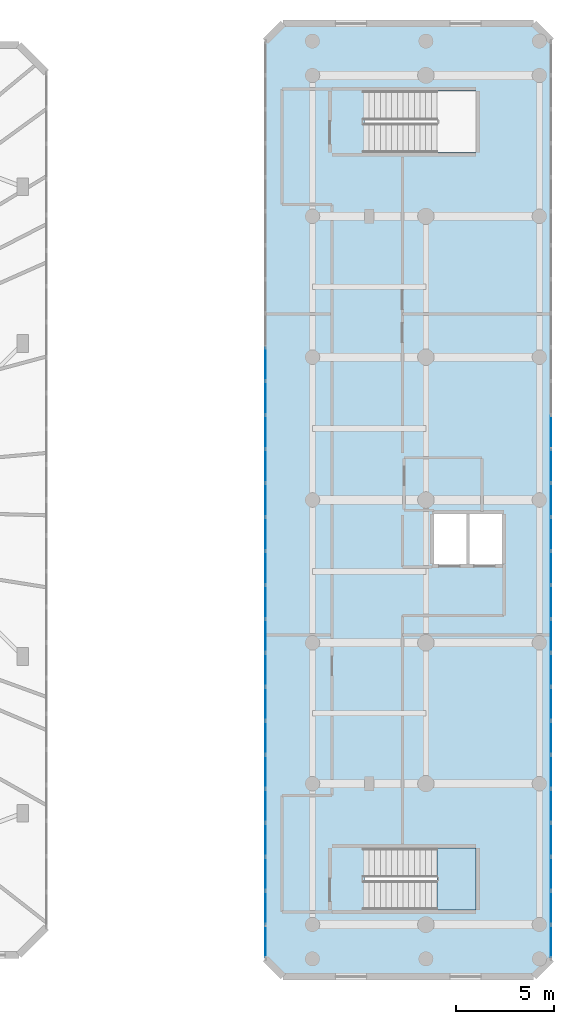
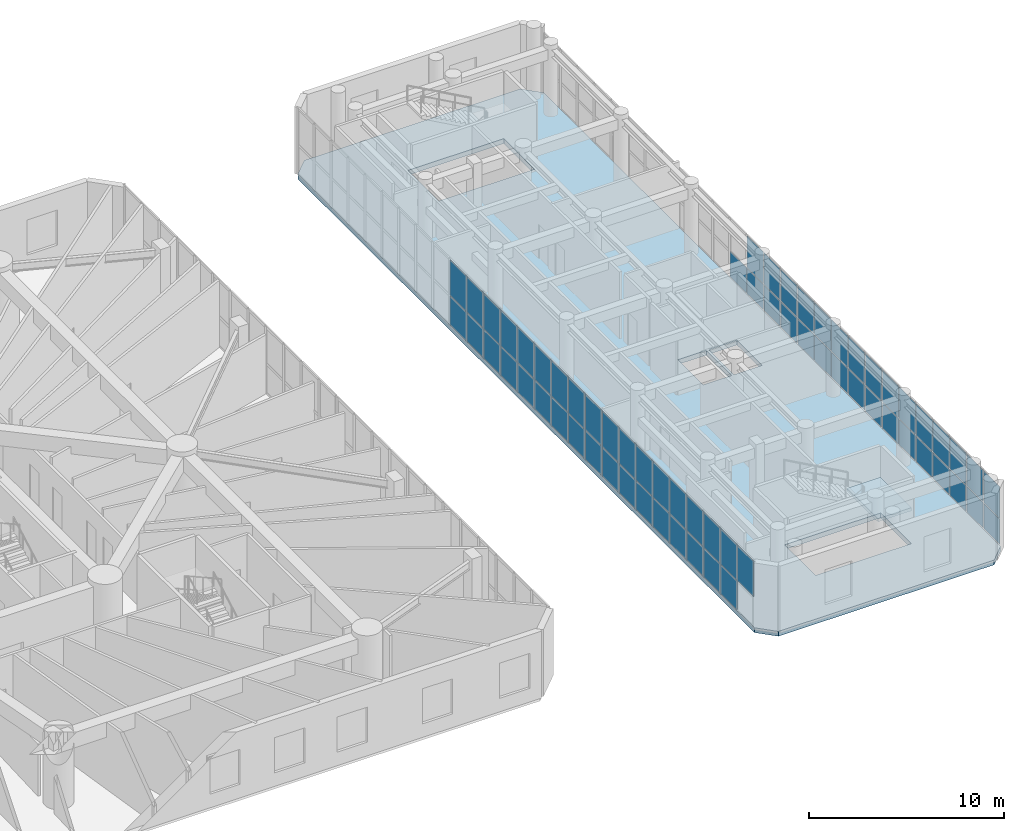
# One storey, part 11 of 26: 66 plates, 2 slabs, 3 elements without a shape of their own.
"""IFC4 building model written with IfcOpenShell, lengths in metres."""

from ifc_helpers import new_model, si_unit, direction, frame, origin, origin_with_axes, origin_2d, place, context, subcontext, project, spatial, polyline, rectangle, outline, extrude, source, transform, mapped, material, layer, layer_set, type_object, element, aggregate, save


model = new_model("IFC4")

# Units and contexts
model_context = context("Model", 3, precision=1e-05, world=origin(), true_north=direction((0.0, 1.0)))
body_context = subcontext(model_context, "Body", "Model", "MODEL_VIEW")
ifc_project = project(units=[si_unit("LENGTHUNIT", "METRE"), si_unit("AREAUNIT", "SQUARE_METRE"), si_unit("VOLUMEUNIT", "CUBIC_METRE"), si_unit("PLANEANGLEUNIT", "RADIAN"), si_unit("MASSUNIT", "GRAM", prefix="KILO")], contexts=[model_context])

# Site, building, storey
site_placement = place(None, origin())
site = spatial("IfcSite", under=ifc_project, at=site_placement, CompositionType="ELEMENT")
building_placement = place(site_placement, origin())
building = spatial("IfcBuilding", under=site, at=building_placement, Name="Karkom Vertical University and Central Library", CompositionType="ELEMENT")
storey_placement = place(building_placement, frame((0.0, 0.0, 9.0)))
storey = spatial("IfcBuildingStorey", under=building, at=storey_placement, Name="L02", CompositionType="ELEMENT", Elevation=9.0)

# Stair, slab
ifc_material_1 = material(Name="Concrete C45/55", Category="concrete")
stair_type = type_object("IfcStairType", Name="INT-STR-ST-LIB", PredefinedType="HALF_TURN_STAIR", material=ifc_material_1)
stair_placement = place(storey_placement, origin())
stair = element("IfcStair", 1, at=stair_placement, inside=storey, type_object=stair_type, Name="Level 02 Central Library South Exit Stair LIB-ST1", PredefinedType="HALF_TURN_STAIR")
ifc_layer_1 = layer(ifc_material_1, 0.199951171875)
ifc_layer_set_1 = layer_set([ifc_layer_1], Name="Concrete C45/55")
slab_type_1 = type_object("IfcSlabType", Name="INT-SLB-LANDING", PredefinedType="LANDING", material=ifc_layer_set_1)
slab_1_placement = place(storey_placement, frame((0.0, 0.0, 2.050048828125)))
slab_1 = element("IfcSlab", 2, at=slab_1_placement, type_object=slab_type_1, Name="LIB-ST1 landing 1", PredefinedType="LANDING", context=body_context, shape_type="SweptSolid", body=[
    extrude(outline(polyline([(75.969970703125, 5.550048828125), (77.949951171875, 5.550048828125), (77.949951171875, 8.7099609375), (75.969970703125, 8.7099609375), (75.969970703125, 5.550048828125)])), origin(), (0.0, 0.0, 1.0), 0.199951171875),
])
aggregate(stair, [slab_1])

# Slab
ifc_layer_2 = layer(ifc_material_1, 0.300048828125)
ifc_layer_set_2 = layer_set([ifc_layer_2], Name="Concrete C45/55")
slab_type_2 = type_object("IfcSlabType", Name="STR-SLB-FLR-300", PredefinedType="FLOOR", material=ifc_layer_set_2)
slab_2_placement = place(storey_placement, frame((0.0, 0.0, -0.300048828125)))
element("IfcSlab", 3, at=slab_2_placement, inside=storey, type_object=slab_type_2, Name="Level 02 Central Library Floor Slab", PredefinedType="FLOOR", context=body_context, shape_type="SweptSolid", body=[
    extrude(outline(polyline([(68.10009765625, 2.14990234375), (80.89990234375, 2.14990234375), (81.800048828125, 3.050048828125), (81.800048828125, 49.949951171875), (80.89990234375, 50.85009765625), (68.10009765625, 50.85009765625), (67.199951171875, 49.949951171875), (67.199951171875, 3.050048828125), (68.10009765625, 2.14990234375)]), holes=[polyline([(72.264892578125, 5.550048828125), (77.949951171875, 5.550048828125), (77.949951171875, 8.7099609375), (72.264892578125, 8.7099609375), (72.264892578125, 5.550048828125)]), polyline([(72.264892578125, 44.25), (77.949951171875, 44.25), (77.949951171875, 47.409912109375), (72.264892578125, 47.409912109375), (72.264892578125, 44.25)]), polyline([(75.800048828125, 23.199951171875), (77.47998046875, 23.199951171875), (77.47998046875, 25.800048828125), (75.800048828125, 25.800048828125), (75.800048828125, 23.199951171875)]), polyline([(77.6201171875, 23.199951171875), (79.300048828125, 23.199951171875), (79.300048828125, 25.800048828125), (77.6201171875, 25.800048828125), (77.6201171875, 23.199951171875)])]), origin(), (0.0, 0.0, 1.0), 0.300048828125),
])

# Curtain wall, plates
ifc_material_2 = material(Name="Aluminium curtain-wall framing and low-E IGU", Category="aluminium")
ifc_layer_3 = layer(ifc_material_2, 0.199951171875)
ifc_layer_set_3 = layer_set([ifc_layer_3], Name="Aluminium curtain-wall framing and low-E IGU")
curtain_wall_type = type_object("IfcCurtainWallType", Name="ENV-CW-1", PredefinedType="USERDEFINED", material=ifc_layer_set_3)
curtain_wall_1_placement = place(storey_placement, origin())
curtain_wall_1 = element("IfcCurtainWall", 4, at=curtain_wall_1_placement, inside=storey, type_object=curtain_wall_type, Name="Level 02 CW-1 Curtain Wall Level 02-CW-1-LIB-3", ObjectType="STICK MULLION GLAZING", PredefinedType="USERDEFINED")
ifc_material_3 = material(Name="Solar-control low-E double glazing 28mm", Category="glass")
ifc_layer_4 = layer(ifc_material_3, 0.028076171875)
ifc_layer_set_4 = layer_set([ifc_layer_4], Name="Solar-control low-E double glazing 28mm")
plate_type = type_object("IfcPlateType", Name="ENV-PLT-GLZ-28", PredefinedType="CURTAIN_PANEL", material=ifc_layer_set_4)
shared_shape_1 = source(origin_with_axes(), body_context, "Body", "SweptSolid", [
    extrude(rectangle(XDim=1.632080078125, YDim=0.028076171875, at=origin_2d()), origin(), (0.0, 0.0, 1.0), 1.58251953125),
])
plate_1_placement = place(storey_placement, frame((81.800048828125, 3.93603515625, 0.070068359375), z_axis=(0.0, 0.0, 1.0), x_axis=(0.0, 1.0, 0.0)))
plate_1 = element("IfcPlate", 5, at=plate_1_placement, type_object=plate_type, Name="CW-1 panel 1.1", PredefinedType="CURTAIN_PANEL", context=body_context, shape_type="MappedRepresentation", body=[
    mapped(shared_shape_1, transform((0.0, 0.0, 0.0), scale=1.0)),
])
shared_shape_2 = source(origin_with_axes(), body_context, "Body", "SweptSolid", [
    extrude(rectangle(XDim=1.632080078125, YDim=0.028076171875, at=origin_2d()), origin(), (0.0, 0.0, 1.0), 1.95751953125),
])
plate_2_placement = place(storey_placement, frame((81.800048828125, 3.93603515625, 1.722412109375), z_axis=(0.0, 0.0, 1.0), x_axis=(0.0, 1.0, 0.0)))
plate_2 = element("IfcPlate", 6, at=plate_2_placement, type_object=plate_type, Name="CW-1 panel 1.2", PredefinedType="CURTAIN_PANEL", context=body_context, shape_type="MappedRepresentation", body=[
    mapped(shared_shape_2, transform((0.0, 0.0, 0.0), scale=1.0)),
])
shared_shape_3 = source(origin_with_axes(), body_context, "Body", "SweptSolid", [
    extrude(rectangle(XDim=1.6669921875, YDim=0.028076171875, at=origin_2d()), origin(), (0.0, 0.0, 1.0), 1.58251953125),
])
plate_3_placement = place(storey_placement, frame((81.800048828125, 5.655517578125, 0.070068359375), z_axis=(0.0, 0.0, 1.0), x_axis=(0.0, 1.0, 0.0)))
plate_3 = element("IfcPlate", 7, at=plate_3_placement, type_object=plate_type, Name="CW-1 panel 2.1", PredefinedType="CURTAIN_PANEL", context=body_context, shape_type="MappedRepresentation", body=[
    mapped(shared_shape_3, transform((0.0, 0.0, 0.0), scale=1.0)),
])
plate_4_placement = place(storey_placement, frame((81.800048828125, 7.392578125, 0.070068359375), z_axis=(0.0, 0.0, 1.0), x_axis=(0.0, 1.0, 0.0)))
plate_4 = element("IfcPlate", 8, at=plate_4_placement, type_object=plate_type, Name="CW-1 panel 3.1", PredefinedType="CURTAIN_PANEL", context=body_context, shape_type="MappedRepresentation", body=[
    mapped(shared_shape_3, transform((0.0, 0.0, 0.0), scale=1.0)),
])
plate_5_placement = place(storey_placement, frame((81.800048828125, 9.129638671875, 0.070068359375), z_axis=(0.0, 0.0, 1.0), x_axis=(0.0, 1.0, 0.0)))
plate_5 = element("IfcPlate", 9, at=plate_5_placement, type_object=plate_type, Name="CW-1 panel 4.1", PredefinedType="CURTAIN_PANEL", context=body_context, shape_type="MappedRepresentation", body=[
    mapped(shared_shape_3, transform((0.0, 0.0, 0.0), scale=1.0)),
])
plate_6_placement = place(storey_placement, frame((81.800048828125, 10.86669921875, 0.070068359375), z_axis=(0.0, 0.0, 1.0), x_axis=(0.0, 1.0, 0.0)))
plate_6 = element("IfcPlate", 10, at=plate_6_placement, type_object=plate_type, Name="CW-1 panel 5.1", PredefinedType="CURTAIN_PANEL", context=body_context, shape_type="MappedRepresentation", body=[
    mapped(shared_shape_3, transform((0.0, 0.0, 0.0), scale=1.0)),
])
plate_7_placement = place(storey_placement, frame((81.800048828125, 12.603759765625, 0.070068359375), z_axis=(0.0, 0.0, 1.0), x_axis=(0.0, 1.0, 0.0)))
plate_7 = element("IfcPlate", 11, at=plate_7_placement, type_object=plate_type, Name="CW-1 panel 6.1", PredefinedType="CURTAIN_PANEL", context=body_context, shape_type="MappedRepresentation", body=[
    mapped(shared_shape_3, transform((0.0, 0.0, 0.0), scale=1.0)),
])
plate_8_placement = place(storey_placement, frame((81.800048828125, 14.3408203125, 0.070068359375), z_axis=(0.0, 0.0, 1.0), x_axis=(0.0, 1.0, 0.0)))
plate_8 = element("IfcPlate", 12, at=plate_8_placement, type_object=plate_type, Name="CW-1 panel 7.1", PredefinedType="CURTAIN_PANEL", context=body_context, shape_type="MappedRepresentation", body=[
    mapped(shared_shape_3, transform((0.0, 0.0, 0.0), scale=1.0)),
])
plate_9_placement = place(storey_placement, frame((81.800048828125, 16.077880859375, 0.070068359375), z_axis=(0.0, 0.0, 1.0), x_axis=(0.0, 1.0, 0.0)))
plate_9 = element("IfcPlate", 13, at=plate_9_placement, type_object=plate_type, Name="CW-1 panel 8.1", PredefinedType="CURTAIN_PANEL", context=body_context, shape_type="MappedRepresentation", body=[
    mapped(shared_shape_3, transform((0.0, 0.0, 0.0), scale=1.0)),
])
plate_10_placement = place(storey_placement, frame((81.800048828125, 17.814697265625, 0.070068359375), z_axis=(0.0, 0.0, 1.0), x_axis=(0.0, 1.0, 0.0)))
plate_10 = element("IfcPlate", 14, at=plate_10_placement, type_object=plate_type, Name="CW-1 panel 9.1", PredefinedType="CURTAIN_PANEL", context=body_context, shape_type="MappedRepresentation", body=[
    mapped(shared_shape_3, transform((0.0, 0.0, 0.0), scale=1.0)),
])
plate_11_placement = place(storey_placement, frame((81.800048828125, 19.5517578125, 0.070068359375), z_axis=(0.0, 0.0, 1.0), x_axis=(0.0, 1.0, 0.0)))
plate_11 = element("IfcPlate", 15, at=plate_11_placement, type_object=plate_type, Name="CW-1 panel 10.1", PredefinedType="CURTAIN_PANEL", context=body_context, shape_type="MappedRepresentation", body=[
    mapped(shared_shape_3, transform((0.0, 0.0, 0.0), scale=1.0)),
])
plate_12_placement = place(storey_placement, frame((81.800048828125, 21.288818359375, 0.070068359375), z_axis=(0.0, 0.0, 1.0), x_axis=(0.0, 1.0, 0.0)))
plate_12 = element("IfcPlate", 16, at=plate_12_placement, type_object=plate_type, Name="CW-1 panel 11.1", PredefinedType="CURTAIN_PANEL", context=body_context, shape_type="MappedRepresentation", body=[
    mapped(shared_shape_3, transform((0.0, 0.0, 0.0), scale=1.0)),
])
plate_13_placement = place(storey_placement, frame((81.800048828125, 23.02587890625, 0.070068359375), z_axis=(0.0, 0.0, 1.0), x_axis=(0.0, 1.0, 0.0)))
plate_13 = element("IfcPlate", 17, at=plate_13_placement, type_object=plate_type, Name="CW-1 panel 12.1", PredefinedType="CURTAIN_PANEL", context=body_context, shape_type="MappedRepresentation", body=[
    mapped(shared_shape_3, transform((0.0, 0.0, 0.0), scale=1.0)),
])
plate_14_placement = place(storey_placement, frame((81.800048828125, 24.762939453125, 0.070068359375), z_axis=(0.0, 0.0, 1.0), x_axis=(0.0, 1.0, 0.0)))
plate_14 = element("IfcPlate", 18, at=plate_14_placement, type_object=plate_type, Name="CW-1 panel 13.1", PredefinedType="CURTAIN_PANEL", context=body_context, shape_type="MappedRepresentation", body=[
    mapped(shared_shape_3, transform((0.0, 0.0, 0.0), scale=1.0)),
])
plate_15_placement = place(storey_placement, frame((81.800048828125, 26.5, 0.070068359375), z_axis=(0.0, 0.0, 1.0), x_axis=(0.0, 1.0, 0.0)))
plate_15 = element("IfcPlate", 19, at=plate_15_placement, type_object=plate_type, Name="CW-1 panel 14.1", PredefinedType="CURTAIN_PANEL", context=body_context, shape_type="MappedRepresentation", body=[
    mapped(shared_shape_3, transform((0.0, 0.0, 0.0), scale=1.0)),
])
plate_16_placement = place(storey_placement, frame((81.800048828125, 28.237060546875, 0.070068359375), z_axis=(0.0, 0.0, 1.0), x_axis=(0.0, 1.0, 0.0)))
plate_16 = element("IfcPlate", 20, at=plate_16_placement, type_object=plate_type, Name="CW-1 panel 15.1", PredefinedType="CURTAIN_PANEL", context=body_context, shape_type="MappedRepresentation", body=[
    mapped(shared_shape_3, transform((0.0, 0.0, 0.0), scale=1.0)),
])
plate_17_placement = place(storey_placement, frame((81.800048828125, 29.97412109375, 0.070068359375), z_axis=(0.0, 0.0, 1.0), x_axis=(0.0, 1.0, 0.0)))
plate_17 = element("IfcPlate", 21, at=plate_17_placement, type_object=plate_type, Name="CW-1 panel 16.1", PredefinedType="CURTAIN_PANEL", context=body_context, shape_type="MappedRepresentation", body=[
    mapped(shared_shape_3, transform((0.0, 0.0, 0.0), scale=1.0)),
])
shared_shape_4 = source(origin_with_axes(), body_context, "Body", "SweptSolid", [
    extrude(rectangle(XDim=1.6669921875, YDim=0.028076171875, at=origin_2d()), origin(), (0.0, 0.0, 1.0), 1.95751953125),
])
plate_18_placement = place(storey_placement, frame((81.800048828125, 5.655517578125, 1.722412109375), z_axis=(0.0, 0.0, 1.0), x_axis=(0.0, 1.0, 0.0)))
plate_18 = element("IfcPlate", 22, at=plate_18_placement, type_object=plate_type, Name="CW-1 panel 2.2", PredefinedType="CURTAIN_PANEL", context=body_context, shape_type="MappedRepresentation", body=[
    mapped(shared_shape_4, transform((0.0, 0.0, 0.0), scale=1.0)),
])
plate_19_placement = place(storey_placement, frame((81.800048828125, 7.392578125, 1.722412109375), z_axis=(0.0, 0.0, 1.0), x_axis=(0.0, 1.0, 0.0)))
plate_19 = element("IfcPlate", 23, at=plate_19_placement, type_object=plate_type, Name="CW-1 panel 3.2", PredefinedType="CURTAIN_PANEL", context=body_context, shape_type="MappedRepresentation", body=[
    mapped(shared_shape_4, transform((0.0, 0.0, 0.0), scale=1.0)),
])
plate_20_placement = place(storey_placement, frame((81.800048828125, 9.129638671875, 1.722412109375), z_axis=(0.0, 0.0, 1.0), x_axis=(0.0, 1.0, 0.0)))
plate_20 = element("IfcPlate", 24, at=plate_20_placement, type_object=plate_type, Name="CW-1 panel 4.2", PredefinedType="CURTAIN_PANEL", context=body_context, shape_type="MappedRepresentation", body=[
    mapped(shared_shape_4, transform((0.0, 0.0, 0.0), scale=1.0)),
])
plate_21_placement = place(storey_placement, frame((81.800048828125, 10.86669921875, 1.722412109375), z_axis=(0.0, 0.0, 1.0), x_axis=(0.0, 1.0, 0.0)))
plate_21 = element("IfcPlate", 25, at=plate_21_placement, type_object=plate_type, Name="CW-1 panel 5.2", PredefinedType="CURTAIN_PANEL", context=body_context, shape_type="MappedRepresentation", body=[
    mapped(shared_shape_4, transform((0.0, 0.0, 0.0), scale=1.0)),
])
plate_22_placement = place(storey_placement, frame((81.800048828125, 12.603759765625, 1.722412109375), z_axis=(0.0, 0.0, 1.0), x_axis=(0.0, 1.0, 0.0)))
plate_22 = element("IfcPlate", 26, at=plate_22_placement, type_object=plate_type, Name="CW-1 panel 6.2", PredefinedType="CURTAIN_PANEL", context=body_context, shape_type="MappedRepresentation", body=[
    mapped(shared_shape_4, transform((0.0, 0.0, 0.0), scale=1.0)),
])
plate_23_placement = place(storey_placement, frame((81.800048828125, 14.3408203125, 1.722412109375), z_axis=(0.0, 0.0, 1.0), x_axis=(0.0, 1.0, 0.0)))
plate_23 = element("IfcPlate", 27, at=plate_23_placement, type_object=plate_type, Name="CW-1 panel 7.2", PredefinedType="CURTAIN_PANEL", context=body_context, shape_type="MappedRepresentation", body=[
    mapped(shared_shape_4, transform((0.0, 0.0, 0.0), scale=1.0)),
])
plate_24_placement = place(storey_placement, frame((81.800048828125, 16.077880859375, 1.722412109375), z_axis=(0.0, 0.0, 1.0), x_axis=(0.0, 1.0, 0.0)))
plate_24 = element("IfcPlate", 28, at=plate_24_placement, type_object=plate_type, Name="CW-1 panel 8.2", PredefinedType="CURTAIN_PANEL", context=body_context, shape_type="MappedRepresentation", body=[
    mapped(shared_shape_4, transform((0.0, 0.0, 0.0), scale=1.0)),
])
plate_25_placement = place(storey_placement, frame((81.800048828125, 17.814697265625, 1.722412109375), z_axis=(0.0, 0.0, 1.0), x_axis=(0.0, 1.0, 0.0)))
plate_25 = element("IfcPlate", 29, at=plate_25_placement, type_object=plate_type, Name="CW-1 panel 9.2", PredefinedType="CURTAIN_PANEL", context=body_context, shape_type="MappedRepresentation", body=[
    mapped(shared_shape_4, transform((0.0, 0.0, 0.0), scale=1.0)),
])
plate_26_placement = place(storey_placement, frame((81.800048828125, 19.5517578125, 1.722412109375), z_axis=(0.0, 0.0, 1.0), x_axis=(0.0, 1.0, 0.0)))
plate_26 = element("IfcPlate", 30, at=plate_26_placement, type_object=plate_type, Name="CW-1 panel 10.2", PredefinedType="CURTAIN_PANEL", context=body_context, shape_type="MappedRepresentation", body=[
    mapped(shared_shape_4, transform((0.0, 0.0, 0.0), scale=1.0)),
])
plate_27_placement = place(storey_placement, frame((81.800048828125, 21.288818359375, 1.722412109375), z_axis=(0.0, 0.0, 1.0), x_axis=(0.0, 1.0, 0.0)))
plate_27 = element("IfcPlate", 31, at=plate_27_placement, type_object=plate_type, Name="CW-1 panel 11.2", PredefinedType="CURTAIN_PANEL", context=body_context, shape_type="MappedRepresentation", body=[
    mapped(shared_shape_4, transform((0.0, 0.0, 0.0), scale=1.0)),
])
plate_28_placement = place(storey_placement, frame((81.800048828125, 23.02587890625, 1.722412109375), z_axis=(0.0, 0.0, 1.0), x_axis=(0.0, 1.0, 0.0)))
plate_28 = element("IfcPlate", 32, at=plate_28_placement, type_object=plate_type, Name="CW-1 panel 12.2", PredefinedType="CURTAIN_PANEL", context=body_context, shape_type="MappedRepresentation", body=[
    mapped(shared_shape_4, transform((0.0, 0.0, 0.0), scale=1.0)),
])
plate_29_placement = place(storey_placement, frame((81.800048828125, 24.762939453125, 1.722412109375), z_axis=(0.0, 0.0, 1.0), x_axis=(0.0, 1.0, 0.0)))
plate_29 = element("IfcPlate", 33, at=plate_29_placement, type_object=plate_type, Name="CW-1 panel 13.2", PredefinedType="CURTAIN_PANEL", context=body_context, shape_type="MappedRepresentation", body=[
    mapped(shared_shape_4, transform((0.0, 0.0, 0.0), scale=1.0)),
])
plate_30_placement = place(storey_placement, frame((81.800048828125, 26.5, 1.722412109375), z_axis=(0.0, 0.0, 1.0), x_axis=(0.0, 1.0, 0.0)))
plate_30 = element("IfcPlate", 34, at=plate_30_placement, type_object=plate_type, Name="CW-1 panel 14.2", PredefinedType="CURTAIN_PANEL", context=body_context, shape_type="MappedRepresentation", body=[
    mapped(shared_shape_4, transform((0.0, 0.0, 0.0), scale=1.0)),
])
plate_31_placement = place(storey_placement, frame((81.800048828125, 28.237060546875, 1.722412109375), z_axis=(0.0, 0.0, 1.0), x_axis=(0.0, 1.0, 0.0)))
plate_31 = element("IfcPlate", 35, at=plate_31_placement, type_object=plate_type, Name="CW-1 panel 15.2", PredefinedType="CURTAIN_PANEL", context=body_context, shape_type="MappedRepresentation", body=[
    mapped(shared_shape_4, transform((0.0, 0.0, 0.0), scale=1.0)),
])
aggregate(curtain_wall_1, [plate_1, plate_2, plate_3, plate_18, plate_4, plate_19, plate_5, plate_20, plate_6, plate_21, plate_7, plate_22, plate_8, plate_23, plate_9, plate_24, plate_10, plate_25, plate_11, plate_26, plate_12, plate_27, plate_13, plate_28, plate_14, plate_29, plate_15, plate_30, plate_16, plate_31, plate_17])

curtain_wall_2_placement = place(storey_placement, origin())
curtain_wall_2 = element("IfcCurtainWall", 36, at=curtain_wall_2_placement, inside=storey, type_object=curtain_wall_type, Name="Level 02 CW-1 Curtain Wall Level 02-CW-1-LIB-7", ObjectType="STICK MULLION GLAZING", PredefinedType="USERDEFINED")
shared_shape_5 = source(origin_with_axes(), body_context, "Body", "SweptSolid", [
    extrude(rectangle(XDim=1.632080078125, YDim=0.028076171875, at=origin_2d()), origin(), (0.0, 0.0, 1.0), 2.205078125),
])
plate_32_placement = place(storey_placement, frame((67.199951171875, 3.93603515625, 1.925048828125), z_axis=(0.0, 0.0, 1.0), x_axis=(0.0, -1.0, 0.0)))
plate_32 = element("IfcPlate", 37, at=plate_32_placement, type_object=plate_type, Name="CW-1 panel 27.2", PredefinedType="CURTAIN_PANEL", context=body_context, shape_type="MappedRepresentation", body=[
    mapped(shared_shape_5, transform((0.0, 0.0, 0.0), scale=1.0)),
])
shared_shape_6 = source(origin_with_axes(), body_context, "Body", "SweptSolid", [
    extrude(rectangle(XDim=1.6669921875, YDim=0.028076171875, at=origin_2d()), origin(), (0.0, 0.0, 1.0), 1.784912109375),
])
plate_33_placement = place(storey_placement, frame((67.199951171875, 33.4482421875, 0.06982421875), z_axis=(0.0, 0.0, 1.0), x_axis=(0.0, -1.0, 0.0)))
plate_33 = element("IfcPlate", 38, at=plate_33_placement, type_object=plate_type, Name="CW-1 panel 10.1", PredefinedType="CURTAIN_PANEL", context=body_context, shape_type="MappedRepresentation", body=[
    mapped(shared_shape_6, transform((0.0, 0.0, 0.0), scale=1.0)),
])
plate_34_placement = place(storey_placement, frame((67.199951171875, 31.711181640625, 0.06982421875), z_axis=(0.0, 0.0, 1.0), x_axis=(0.0, -1.0, 0.0)))
plate_34 = element("IfcPlate", 39, at=plate_34_placement, type_object=plate_type, Name="CW-1 panel 11.1", PredefinedType="CURTAIN_PANEL", context=body_context, shape_type="MappedRepresentation", body=[
    mapped(shared_shape_6, transform((0.0, 0.0, 0.0), scale=1.0)),
])
plate_35_placement = place(storey_placement, frame((67.199951171875, 29.97412109375, 0.06982421875), z_axis=(0.0, 0.0, 1.0), x_axis=(0.0, -1.0, 0.0)))
plate_35 = element("IfcPlate", 40, at=plate_35_placement, type_object=plate_type, Name="CW-1 panel 12.1", PredefinedType="CURTAIN_PANEL", context=body_context, shape_type="MappedRepresentation", body=[
    mapped(shared_shape_6, transform((0.0, 0.0, 0.0), scale=1.0)),
])
plate_36_placement = place(storey_placement, frame((67.199951171875, 28.237060546875, 0.06982421875), z_axis=(0.0, 0.0, 1.0), x_axis=(0.0, -1.0, 0.0)))
plate_36 = element("IfcPlate", 41, at=plate_36_placement, type_object=plate_type, Name="CW-1 panel 13.1", PredefinedType="CURTAIN_PANEL", context=body_context, shape_type="MappedRepresentation", body=[
    mapped(shared_shape_6, transform((0.0, 0.0, 0.0), scale=1.0)),
])
plate_37_placement = place(storey_placement, frame((67.199951171875, 26.5, 0.06982421875), z_axis=(0.0, 0.0, 1.0), x_axis=(0.0, -1.0, 0.0)))
plate_37 = element("IfcPlate", 42, at=plate_37_placement, type_object=plate_type, Name="CW-1 panel 14.1", PredefinedType="CURTAIN_PANEL", context=body_context, shape_type="MappedRepresentation", body=[
    mapped(shared_shape_6, transform((0.0, 0.0, 0.0), scale=1.0)),
])
plate_38_placement = place(storey_placement, frame((67.199951171875, 24.762939453125, 0.06982421875), z_axis=(0.0, 0.0, 1.0), x_axis=(0.0, -1.0, 0.0)))
plate_38 = element("IfcPlate", 43, at=plate_38_placement, type_object=plate_type, Name="CW-1 panel 15.1", PredefinedType="CURTAIN_PANEL", context=body_context, shape_type="MappedRepresentation", body=[
    mapped(shared_shape_6, transform((0.0, 0.0, 0.0), scale=1.0)),
])
plate_39_placement = place(storey_placement, frame((67.199951171875, 23.02587890625, 0.06982421875), z_axis=(0.0, 0.0, 1.0), x_axis=(0.0, -1.0, 0.0)))
plate_39 = element("IfcPlate", 44, at=plate_39_placement, type_object=plate_type, Name="CW-1 panel 16.1", PredefinedType="CURTAIN_PANEL", context=body_context, shape_type="MappedRepresentation", body=[
    mapped(shared_shape_6, transform((0.0, 0.0, 0.0), scale=1.0)),
])
plate_40_placement = place(storey_placement, frame((67.199951171875, 21.288818359375, 0.06982421875), z_axis=(0.0, 0.0, 1.0), x_axis=(0.0, -1.0, 0.0)))
plate_40 = element("IfcPlate", 45, at=plate_40_placement, type_object=plate_type, Name="CW-1 panel 17.1", PredefinedType="CURTAIN_PANEL", context=body_context, shape_type="MappedRepresentation", body=[
    mapped(shared_shape_6, transform((0.0, 0.0, 0.0), scale=1.0)),
])
plate_41_placement = place(storey_placement, frame((67.199951171875, 19.5517578125, 0.06982421875), z_axis=(0.0, 0.0, 1.0), x_axis=(0.0, -1.0, 0.0)))
plate_41 = element("IfcPlate", 46, at=plate_41_placement, type_object=plate_type, Name="CW-1 panel 18.1", PredefinedType="CURTAIN_PANEL", context=body_context, shape_type="MappedRepresentation", body=[
    mapped(shared_shape_6, transform((0.0, 0.0, 0.0), scale=1.0)),
])
plate_42_placement = place(storey_placement, frame((67.199951171875, 17.814697265625, 0.06982421875), z_axis=(0.0, 0.0, 1.0), x_axis=(0.0, -1.0, 0.0)))
plate_42 = element("IfcPlate", 47, at=plate_42_placement, type_object=plate_type, Name="CW-1 panel 19.1", PredefinedType="CURTAIN_PANEL", context=body_context, shape_type="MappedRepresentation", body=[
    mapped(shared_shape_6, transform((0.0, 0.0, 0.0), scale=1.0)),
])
plate_43_placement = place(storey_placement, frame((67.199951171875, 16.077880859375, 0.06982421875), z_axis=(0.0, 0.0, 1.0), x_axis=(0.0, -1.0, 0.0)))
plate_43 = element("IfcPlate", 48, at=plate_43_placement, type_object=plate_type, Name="CW-1 panel 20.1", PredefinedType="CURTAIN_PANEL", context=body_context, shape_type="MappedRepresentation", body=[
    mapped(shared_shape_6, transform((0.0, 0.0, 0.0), scale=1.0)),
])
plate_44_placement = place(storey_placement, frame((67.199951171875, 14.3408203125, 0.06982421875), z_axis=(0.0, 0.0, 1.0), x_axis=(0.0, -1.0, 0.0)))
plate_44 = element("IfcPlate", 49, at=plate_44_placement, type_object=plate_type, Name="CW-1 panel 21.1", PredefinedType="CURTAIN_PANEL", context=body_context, shape_type="MappedRepresentation", body=[
    mapped(shared_shape_6, transform((0.0, 0.0, 0.0), scale=1.0)),
])
plate_45_placement = place(storey_placement, frame((67.199951171875, 12.603759765625, 0.06982421875), z_axis=(0.0, 0.0, 1.0), x_axis=(0.0, -1.0, 0.0)))
plate_45 = element("IfcPlate", 50, at=plate_45_placement, type_object=plate_type, Name="CW-1 panel 22.1", PredefinedType="CURTAIN_PANEL", context=body_context, shape_type="MappedRepresentation", body=[
    mapped(shared_shape_6, transform((0.0, 0.0, 0.0), scale=1.0)),
])
plate_46_placement = place(storey_placement, frame((67.199951171875, 10.86669921875, 0.06982421875), z_axis=(0.0, 0.0, 1.0), x_axis=(0.0, -1.0, 0.0)))
plate_46 = element("IfcPlate", 51, at=plate_46_placement, type_object=plate_type, Name="CW-1 panel 23.1", PredefinedType="CURTAIN_PANEL", context=body_context, shape_type="MappedRepresentation", body=[
    mapped(shared_shape_6, transform((0.0, 0.0, 0.0), scale=1.0)),
])
plate_47_placement = place(storey_placement, frame((67.199951171875, 9.129638671875, 0.06982421875), z_axis=(0.0, 0.0, 1.0), x_axis=(0.0, -1.0, 0.0)))
plate_47 = element("IfcPlate", 52, at=plate_47_placement, type_object=plate_type, Name="CW-1 panel 24.1", PredefinedType="CURTAIN_PANEL", context=body_context, shape_type="MappedRepresentation", body=[
    mapped(shared_shape_6, transform((0.0, 0.0, 0.0), scale=1.0)),
])
plate_48_placement = place(storey_placement, frame((67.199951171875, 7.392578125, 0.06982421875), z_axis=(0.0, 0.0, 1.0), x_axis=(0.0, -1.0, 0.0)))
plate_48 = element("IfcPlate", 53, at=plate_48_placement, type_object=plate_type, Name="CW-1 panel 25.1", PredefinedType="CURTAIN_PANEL", context=body_context, shape_type="MappedRepresentation", body=[
    mapped(shared_shape_6, transform((0.0, 0.0, 0.0), scale=1.0)),
])
plate_49_placement = place(storey_placement, frame((67.199951171875, 5.655517578125, 0.06982421875), z_axis=(0.0, 0.0, 1.0), x_axis=(0.0, -1.0, 0.0)))
plate_49 = element("IfcPlate", 54, at=plate_49_placement, type_object=plate_type, Name="CW-1 panel 26.1", PredefinedType="CURTAIN_PANEL", context=body_context, shape_type="MappedRepresentation", body=[
    mapped(shared_shape_6, transform((0.0, 0.0, 0.0), scale=1.0)),
])
shared_shape_7 = source(origin_with_axes(), body_context, "Body", "SweptSolid", [
    extrude(rectangle(XDim=1.6669921875, YDim=0.028076171875, at=origin_2d()), origin(), (0.0, 0.0, 1.0), 2.205078125),
])
plate_50_placement = place(storey_placement, frame((67.199951171875, 33.4482421875, 1.925048828125), z_axis=(0.0, 0.0, 1.0), x_axis=(0.0, -1.0, 0.0)))
plate_50 = element("IfcPlate", 55, at=plate_50_placement, type_object=plate_type, Name="CW-1 panel 10.2", PredefinedType="CURTAIN_PANEL", context=body_context, shape_type="MappedRepresentation", body=[
    mapped(shared_shape_7, transform((0.0, 0.0, 0.0), scale=1.0)),
])
plate_51_placement = place(storey_placement, frame((67.199951171875, 31.711181640625, 1.925048828125), z_axis=(0.0, 0.0, 1.0), x_axis=(0.0, -1.0, 0.0)))
plate_51 = element("IfcPlate", 56, at=plate_51_placement, type_object=plate_type, Name="CW-1 panel 11.2", PredefinedType="CURTAIN_PANEL", context=body_context, shape_type="MappedRepresentation", body=[
    mapped(shared_shape_7, transform((0.0, 0.0, 0.0), scale=1.0)),
])
plate_52_placement = place(storey_placement, frame((67.199951171875, 29.97412109375, 1.925048828125), z_axis=(0.0, 0.0, 1.0), x_axis=(0.0, -1.0, 0.0)))
plate_52 = element("IfcPlate", 57, at=plate_52_placement, type_object=plate_type, Name="CW-1 panel 12.2", PredefinedType="CURTAIN_PANEL", context=body_context, shape_type="MappedRepresentation", body=[
    mapped(shared_shape_7, transform((0.0, 0.0, 0.0), scale=1.0)),
])
plate_53_placement = place(storey_placement, frame((67.199951171875, 28.237060546875, 1.925048828125), z_axis=(0.0, 0.0, 1.0), x_axis=(0.0, -1.0, 0.0)))
plate_53 = element("IfcPlate", 58, at=plate_53_placement, type_object=plate_type, Name="CW-1 panel 13.2", PredefinedType="CURTAIN_PANEL", context=body_context, shape_type="MappedRepresentation", body=[
    mapped(shared_shape_7, transform((0.0, 0.0, 0.0), scale=1.0)),
])
plate_54_placement = place(storey_placement, frame((67.199951171875, 26.5, 1.925048828125), z_axis=(0.0, 0.0, 1.0), x_axis=(0.0, -1.0, 0.0)))
plate_54 = element("IfcPlate", 59, at=plate_54_placement, type_object=plate_type, Name="CW-1 panel 14.2", PredefinedType="CURTAIN_PANEL", context=body_context, shape_type="MappedRepresentation", body=[
    mapped(shared_shape_7, transform((0.0, 0.0, 0.0), scale=1.0)),
])
plate_55_placement = place(storey_placement, frame((67.199951171875, 24.762939453125, 1.925048828125), z_axis=(0.0, 0.0, 1.0), x_axis=(0.0, -1.0, 0.0)))
plate_55 = element("IfcPlate", 60, at=plate_55_placement, type_object=plate_type, Name="CW-1 panel 15.2", PredefinedType="CURTAIN_PANEL", context=body_context, shape_type="MappedRepresentation", body=[
    mapped(shared_shape_7, transform((0.0, 0.0, 0.0), scale=1.0)),
])
plate_56_placement = place(storey_placement, frame((67.199951171875, 23.02587890625, 1.925048828125), z_axis=(0.0, 0.0, 1.0), x_axis=(0.0, -1.0, 0.0)))
plate_56 = element("IfcPlate", 61, at=plate_56_placement, type_object=plate_type, Name="CW-1 panel 16.2", PredefinedType="CURTAIN_PANEL", context=body_context, shape_type="MappedRepresentation", body=[
    mapped(shared_shape_7, transform((0.0, 0.0, 0.0), scale=1.0)),
])
plate_57_placement = place(storey_placement, frame((67.199951171875, 21.288818359375, 1.925048828125), z_axis=(0.0, 0.0, 1.0), x_axis=(0.0, -1.0, 0.0)))
plate_57 = element("IfcPlate", 62, at=plate_57_placement, type_object=plate_type, Name="CW-1 panel 17.2", PredefinedType="CURTAIN_PANEL", context=body_context, shape_type="MappedRepresentation", body=[
    mapped(shared_shape_7, transform((0.0, 0.0, 0.0), scale=1.0)),
])
plate_58_placement = place(storey_placement, frame((67.199951171875, 19.5517578125, 1.925048828125), z_axis=(0.0, 0.0, 1.0), x_axis=(0.0, -1.0, 0.0)))
plate_58 = element("IfcPlate", 63, at=plate_58_placement, type_object=plate_type, Name="CW-1 panel 18.2", PredefinedType="CURTAIN_PANEL", context=body_context, shape_type="MappedRepresentation", body=[
    mapped(shared_shape_7, transform((0.0, 0.0, 0.0), scale=1.0)),
])
plate_59_placement = place(storey_placement, frame((67.199951171875, 17.814697265625, 1.925048828125), z_axis=(0.0, 0.0, 1.0), x_axis=(0.0, -1.0, 0.0)))
plate_59 = element("IfcPlate", 64, at=plate_59_placement, type_object=plate_type, Name="CW-1 panel 19.2", PredefinedType="CURTAIN_PANEL", context=body_context, shape_type="MappedRepresentation", body=[
    mapped(shared_shape_7, transform((0.0, 0.0, 0.0), scale=1.0)),
])
plate_60_placement = place(storey_placement, frame((67.199951171875, 16.077880859375, 1.925048828125), z_axis=(0.0, 0.0, 1.0), x_axis=(0.0, -1.0, 0.0)))
plate_60 = element("IfcPlate", 65, at=plate_60_placement, type_object=plate_type, Name="CW-1 panel 20.2", PredefinedType="CURTAIN_PANEL", context=body_context, shape_type="MappedRepresentation", body=[
    mapped(shared_shape_7, transform((0.0, 0.0, 0.0), scale=1.0)),
])
plate_61_placement = place(storey_placement, frame((67.199951171875, 14.3408203125, 1.925048828125), z_axis=(0.0, 0.0, 1.0), x_axis=(0.0, -1.0, 0.0)))
plate_61 = element("IfcPlate", 66, at=plate_61_placement, type_object=plate_type, Name="CW-1 panel 21.2", PredefinedType="CURTAIN_PANEL", context=body_context, shape_type="MappedRepresentation", body=[
    mapped(shared_shape_7, transform((0.0, 0.0, 0.0), scale=1.0)),
])
plate_62_placement = place(storey_placement, frame((67.199951171875, 12.603759765625, 1.925048828125), z_axis=(0.0, 0.0, 1.0), x_axis=(0.0, -1.0, 0.0)))
plate_62 = element("IfcPlate", 67, at=plate_62_placement, type_object=plate_type, Name="CW-1 panel 22.2", PredefinedType="CURTAIN_PANEL", context=body_context, shape_type="MappedRepresentation", body=[
    mapped(shared_shape_7, transform((0.0, 0.0, 0.0), scale=1.0)),
])
plate_63_placement = place(storey_placement, frame((67.199951171875, 10.86669921875, 1.925048828125), z_axis=(0.0, 0.0, 1.0), x_axis=(0.0, -1.0, 0.0)))
plate_63 = element("IfcPlate", 68, at=plate_63_placement, type_object=plate_type, Name="CW-1 panel 23.2", PredefinedType="CURTAIN_PANEL", context=body_context, shape_type="MappedRepresentation", body=[
    mapped(shared_shape_7, transform((0.0, 0.0, 0.0), scale=1.0)),
])
plate_64_placement = place(storey_placement, frame((67.199951171875, 9.129638671875, 1.925048828125), z_axis=(0.0, 0.0, 1.0), x_axis=(0.0, -1.0, 0.0)))
plate_64 = element("IfcPlate", 69, at=plate_64_placement, type_object=plate_type, Name="CW-1 panel 24.2", PredefinedType="CURTAIN_PANEL", context=body_context, shape_type="MappedRepresentation", body=[
    mapped(shared_shape_7, transform((0.0, 0.0, 0.0), scale=1.0)),
])
plate_65_placement = place(storey_placement, frame((67.199951171875, 7.392578125, 1.925048828125), z_axis=(0.0, 0.0, 1.0), x_axis=(0.0, -1.0, 0.0)))
plate_65 = element("IfcPlate", 70, at=plate_65_placement, type_object=plate_type, Name="CW-1 panel 25.2", PredefinedType="CURTAIN_PANEL", context=body_context, shape_type="MappedRepresentation", body=[
    mapped(shared_shape_7, transform((0.0, 0.0, 0.0), scale=1.0)),
])
plate_66_placement = place(storey_placement, frame((67.199951171875, 5.655517578125, 1.925048828125), z_axis=(0.0, 0.0, 1.0), x_axis=(0.0, -1.0, 0.0)))
plate_66 = element("IfcPlate", 71, at=plate_66_placement, type_object=plate_type, Name="CW-1 panel 26.2", PredefinedType="CURTAIN_PANEL", context=body_context, shape_type="MappedRepresentation", body=[
    mapped(shared_shape_7, transform((0.0, 0.0, 0.0), scale=1.0)),
])
aggregate(curtain_wall_2, [plate_33, plate_50, plate_34, plate_51, plate_35, plate_52, plate_36, plate_53, plate_37, plate_54, plate_38, plate_55, plate_39, plate_56, plate_40, plate_57, plate_41, plate_58, plate_42, plate_59, plate_43, plate_60, plate_44, plate_61, plate_45, plate_62, plate_46, plate_63, plate_47, plate_64, plate_48, plate_65, plate_49, plate_66, plate_32])

save(model, "model.ifc")
